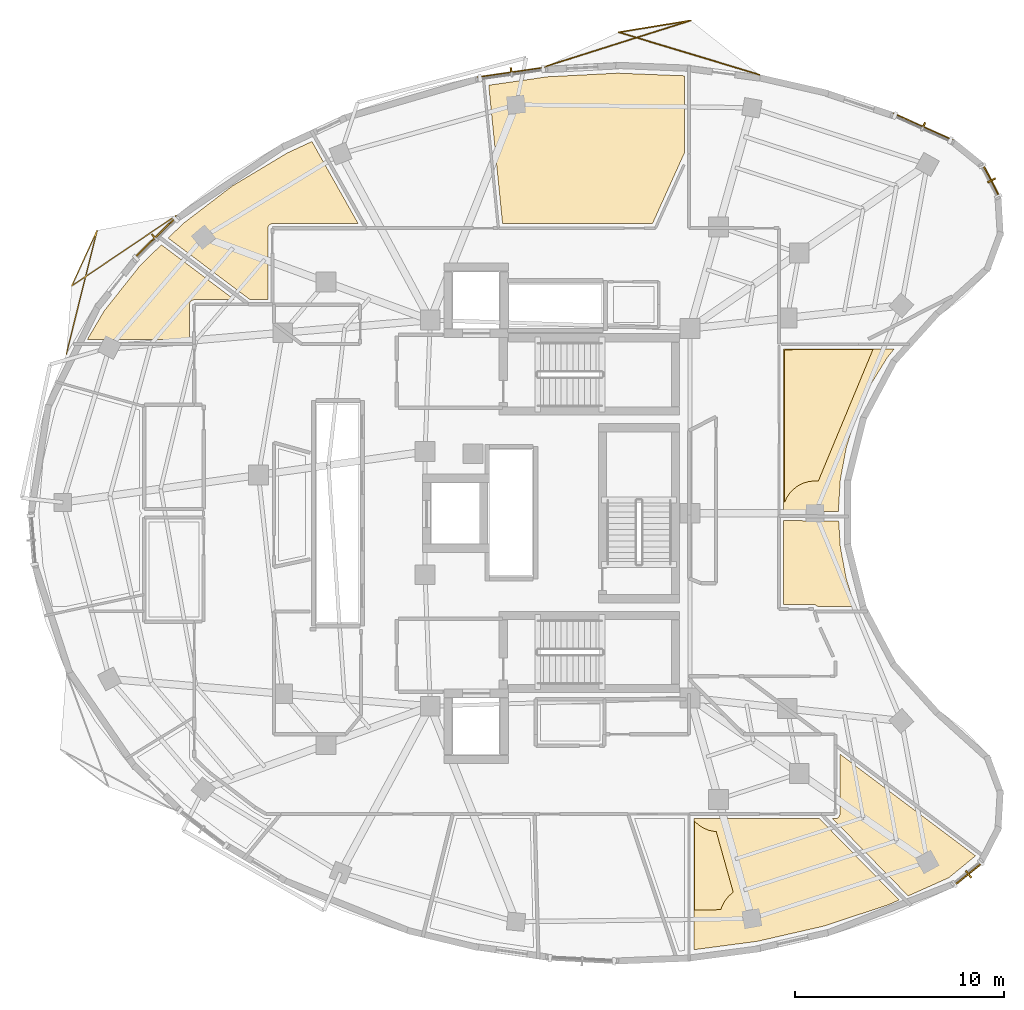
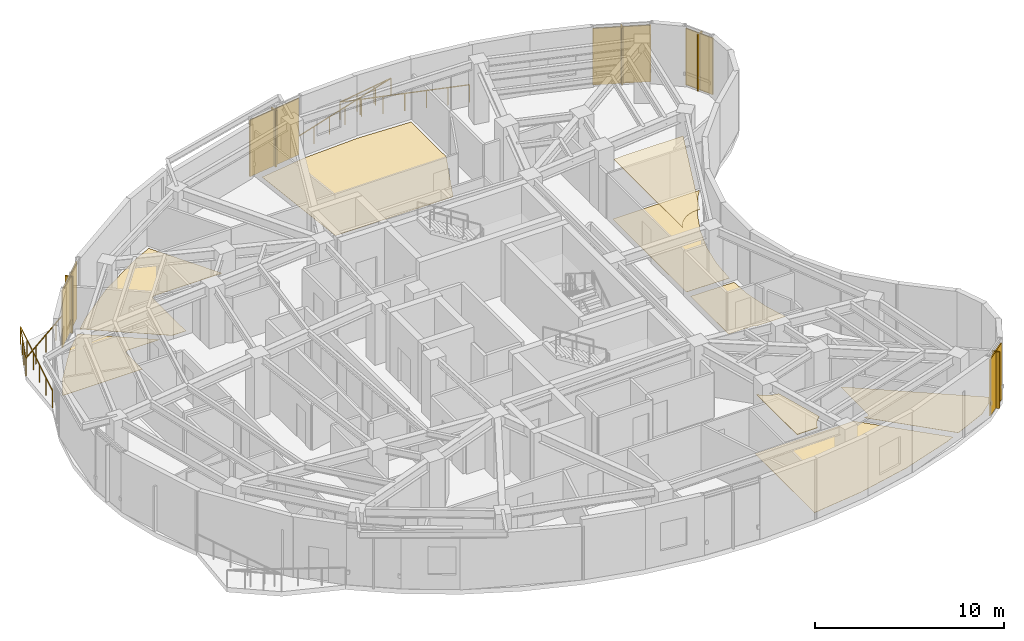
# One storey, part 14 of 14: 10 shading devices, 9 coverings, 2 railings.
"""IFC4 building model written with IfcOpenShell, lengths in metres."""

from ifc_helpers import new_model, si_unit, direction, frame, origin, origin_2d, place, context, subcontext, project, spatial, polyline, rectangle, outline, extrude, material, layer, layer_set, type_object, element, save


model = new_model("IFC4")

# Units and contexts
model_context = context("Model", 3, precision=1e-05, world=origin(), true_north=direction((0.0, 1.0)))
body_context = subcontext(model_context, "Body", "Model", "MODEL_VIEW")
ifc_project = project(units=[si_unit("LENGTHUNIT", "METRE"), si_unit("AREAUNIT", "SQUARE_METRE"), si_unit("VOLUMEUNIT", "CUBIC_METRE"), si_unit("PLANEANGLEUNIT", "RADIAN"), si_unit("MASSUNIT", "GRAM", prefix="KILO")], contexts=[model_context])

# Site, building, storey
site_placement = place(None, origin())
site = spatial("IfcSite", under=ifc_project, at=site_placement, CompositionType="ELEMENT")
building_placement = place(site_placement, origin())
building = spatial("IfcBuilding", under=site, at=building_placement, Name="Korentha Bioscience Tower", CompositionType="ELEMENT")
storey_placement = place(building_placement, frame((0.0, 0.0, 252.0)))
storey = spatial("IfcBuildingStorey", under=building, at=storey_placement, Name="L58", CompositionType="ELEMENT", Elevation=252.0)

# Railings
ifc_material_1 = material(Name="Laminated Tempered Safety Glass", Category="glass")
railing_type = type_object("IfcRailingType", Name="Laminated Glass Balcony Guardrail 1150", PredefinedType="BALUSTRADE", material=ifc_material_1)
railing_1_placement = place(storey_placement, frame((40.857666015625, 48.011962890625, 0.0)))
element("IfcRailing", 1, at=railing_1_placement, inside=storey, type_object=railing_type, Name="L58 Balcony Guardrail 01", PredefinedType="BALUSTRADE", context=body_context, shape_type="SweptSolid", body=[
    extrude(rectangle(XDim=0.048095703125, YDim=0.048095703125, at=origin_2d()), frame((0.0, 0.0, 1.1259765625), z_axis=(-0.957345846904, 0.288944509232, 0.0), x_axis=(-0.288944509232, -0.957345846904, 0.0)), (0.0, 0.0, 1.0), 7.026611328125),
    extrude(rectangle(XDim=0.048095703125, YDim=0.048095703125, at=origin_2d()), frame((-6.726806640625, 2.0302734375, 1.1259765625), z_axis=(0.98686079152, 0.16157282618, 0.0), x_axis=(-0.16157282618, 0.98686079152, 0.0)), (0.0, 0.0, 1.0), 3.489013671875),
    extrude(rectangle(XDim=0.048095703125, YDim=0.048095703125, at=origin_2d()), frame((-3.28369140625, 2.593994140625, 1.1259765625), z_axis=(-0.953365641016, -0.301817750523, 0.0), x_axis=(0.301817750523, -0.953365641016, 0.0)), (0.0, 0.0, 1.0), 7.2509765625),
    extrude(rectangle(XDim=0.0419921875, YDim=0.0419921875, at=origin_2d()), origin(), (0.0, 0.0, 1.0), 1.101806640625),
    extrude(rectangle(XDim=0.0419921875, YDim=0.0419921875, at=origin_2d()), frame((-1.12109375, 0.33837890625, 0.0)), (0.0, 0.0, 1.0), 1.101806640625),
    extrude(rectangle(XDim=0.0419921875, YDim=0.0419921875, at=origin_2d()), frame((-2.2421875, 0.6767578125, 0.0)), (0.0, 0.0, 1.0), 1.101806640625),
    extrude(rectangle(XDim=0.0419921875, YDim=0.0419921875, at=origin_2d()), frame((-3.36328125, 1.01513671875, 0.0)), (0.0, 0.0, 1.0), 1.101806640625),
    extrude(rectangle(XDim=0.0419921875, YDim=0.0419921875, at=origin_2d()), frame((-4.484619140625, 1.353515625, 0.0)), (0.0, 0.0, 1.0), 1.101806640625),
    extrude(rectangle(XDim=0.0419921875, YDim=0.0419921875, at=origin_2d()), frame((-5.605712890625, 1.69189453125, 0.0)), (0.0, 0.0, 1.0), 1.101806640625),
    extrude(rectangle(XDim=0.0419921875, YDim=0.0419921875, at=origin_2d()), frame((-6.726806640625, 2.0302734375, 0.0)), (0.0, 0.0, 1.0), 1.101806640625),
    extrude(rectangle(XDim=0.0419921875, YDim=0.0419921875, at=origin_2d()), frame((-5.5791015625, 2.21826171875, 0.0)), (0.0, 0.0, 1.0), 1.101806640625),
    extrude(rectangle(XDim=0.0419921875, YDim=0.0419921875, at=origin_2d()), frame((-4.431396484375, 2.406005859375, 0.0)), (0.0, 0.0, 1.0), 1.101806640625),
    extrude(rectangle(XDim=0.0419921875, YDim=0.0419921875, at=origin_2d()), frame((-3.28369140625, 2.593994140625, 0.0)), (0.0, 0.0, 1.0), 1.101806640625),
    extrude(rectangle(XDim=0.0419921875, YDim=0.0419921875, at=origin_2d()), frame((-4.435791015625, 2.229248046875, 0.0)), (0.0, 0.0, 1.0), 1.101806640625),
    extrude(rectangle(XDim=0.0419921875, YDim=0.0419921875, at=origin_2d()), frame((-5.587890625, 1.864501953125, 0.0)), (0.0, 0.0, 1.0), 1.101806640625),
    extrude(rectangle(XDim=0.0419921875, YDim=0.0419921875, at=origin_2d()), frame((-6.740234375, 1.499755859375, 0.0)), (0.0, 0.0, 1.0), 1.101806640625),
    extrude(rectangle(XDim=0.0419921875, YDim=0.0419921875, at=origin_2d()), frame((-7.892333984375, 1.135009765625, 0.0)), (0.0, 0.0, 1.0), 1.101806640625),
    extrude(rectangle(XDim=0.0419921875, YDim=0.0419921875, at=origin_2d()), frame((-9.04443359375, 0.770263671875, 0.0)), (0.0, 0.0, 1.0), 1.101806640625),
    extrude(rectangle(XDim=0.0419921875, YDim=0.0419921875, at=origin_2d()), frame((-10.196533203125, 0.405517578125, 0.0)), (0.0, 0.0, 1.0), 1.101806640625),
])
railing_2_placement = place(storey_placement, frame((12.923095703125, 41.261474609375, 0.0)))
element("IfcRailing", 2, at=railing_2_placement, inside=storey, type_object=railing_type, Name="L58 Balcony Guardrail 02", PredefinedType="BALUSTRADE", context=body_context, shape_type="SweptSolid", body=[
    extrude(rectangle(XDim=0.048095703125, YDim=0.048095703125, at=origin_2d()), frame((0.0, 0.0, 1.1259765625), z_axis=(-0.829022795823, -0.559214810253, 0.0), x_axis=(0.559214810253, -0.829022795823, 0.0)), (0.0, 0.0, 1.0), 6.029052734375),
    extrude(rectangle(XDim=0.048095703125, YDim=0.048095703125, at=origin_2d()), frame((-4.998291015625, -3.37158203125, 1.1259765625), z_axis=(0.414979700479, 0.909830670065, 0.0), x_axis=(-0.909830670065, 0.414979700479, 0.0)), (0.0, 0.0, 1.0), 2.922119140625),
    extrude(rectangle(XDim=0.048095703125, YDim=0.048095703125, at=origin_2d()), frame((-3.78564453125, -0.712890625, 1.1259765625), z_axis=(-0.241152807874, -0.970487157697, 0.0), x_axis=(0.970487157697, -0.241152807874, 0.0)), (0.0, 0.0, 1.0), 6.107666015625),
    extrude(rectangle(XDim=0.0419921875, YDim=0.0419921875, at=origin_2d()), origin(), (0.0, 0.0, 1.0), 1.101806640625),
    extrude(rectangle(XDim=0.0419921875, YDim=0.0419921875, at=origin_2d()), frame((-0.999755859375, -0.67431640625, 0.0)), (0.0, 0.0, 1.0), 1.101806640625),
    extrude(rectangle(XDim=0.0419921875, YDim=0.0419921875, at=origin_2d()), frame((-1.999267578125, -1.3486328125, 0.0)), (0.0, 0.0, 1.0), 1.101806640625),
    extrude(rectangle(XDim=0.0419921875, YDim=0.0419921875, at=origin_2d()), frame((-2.9990234375, -2.02294921875, 0.0)), (0.0, 0.0, 1.0), 1.101806640625),
    extrude(rectangle(XDim=0.0419921875, YDim=0.0419921875, at=origin_2d()), frame((-3.99853515625, -2.697265625, 0.0)), (0.0, 0.0, 1.0), 1.101806640625),
    extrude(rectangle(XDim=0.0419921875, YDim=0.0419921875, at=origin_2d()), frame((-4.998291015625, -3.37158203125, 0.0)), (0.0, 0.0, 1.0), 1.101806640625),
    extrude(rectangle(XDim=0.0419921875, YDim=0.0419921875, at=origin_2d()), frame((-4.593994140625, -2.4853515625, 0.0)), (0.0, 0.0, 1.0), 1.101806640625),
    extrude(rectangle(XDim=0.0419921875, YDim=0.0419921875, at=origin_2d()), frame((-4.18994140625, -1.59912109375, 0.0)), (0.0, 0.0, 1.0), 1.101806640625),
    extrude(rectangle(XDim=0.0419921875, YDim=0.0419921875, at=origin_2d()), frame((-3.78564453125, -0.712890625, 0.0)), (0.0, 0.0, 1.0), 1.101806640625),
    extrude(rectangle(XDim=0.0419921875, YDim=0.0419921875, at=origin_2d()), frame((-4.080322265625, -1.8984375, 0.0)), (0.0, 0.0, 1.0), 1.101806640625),
    extrude(rectangle(XDim=0.0419921875, YDim=0.0419921875, at=origin_2d()), frame((-4.374755859375, -3.083984375, 0.0)), (0.0, 0.0, 1.0), 1.101806640625),
    extrude(rectangle(XDim=0.0419921875, YDim=0.0419921875, at=origin_2d()), frame((-4.66943359375, -4.269287109375, 0.0)), (0.0, 0.0, 1.0), 1.101806640625),
    extrude(rectangle(XDim=0.0419921875, YDim=0.0419921875, at=origin_2d()), frame((-4.9638671875, -5.454833984375, 0.0)), (0.0, 0.0, 1.0), 1.101806640625),
    extrude(rectangle(XDim=0.0419921875, YDim=0.0419921875, at=origin_2d()), frame((-5.258544921875, -6.640380859375, 0.0)), (0.0, 0.0, 1.0), 1.101806640625),
])

# Coverings
ifc_material_2 = material(Name="Antimicrobial Mineral Fibre Board", Category="gypsum")
ifc_layer_1 = layer(ifc_material_2, 0.034912109375, Name="Antimicrobial Mineral Fibre Board")
ifc_layer_set_1 = layer_set([ifc_layer_1], Name="Antimicrobial Mineral Fibre Board (CL-MF35)")
covering_type_1 = type_object("IfcCoveringType", Name="Mineral-Fibre Cleanroom Suspended Ceiling 35", PredefinedType="CEILING", material=ifc_layer_set_1)
covering_1_placement = place(storey_placement, frame((0.0, 0.0, 3.864990234375)))
element("IfcCovering", 3, at=covering_1_placement, inside=storey, type_object=covering_type_1, Name="L58 Daylight Break and Coffee Bar 09 Acoustic Ceiling", PredefinedType="CEILING", context=body_context, shape_type="SweptSolid", body=[
    extrude(outline(polyline([(39.614990234375, 8.840576171875), (39.412841796875, 8.672119140625), (39.22021484375, 8.437255859375), (39.076904296875, 8.169189453125), (39.020751953125, 8.00634765625), (37.758056640625, 7.98974609375), (37.758056640625, 12.2529296875), (37.927734375, 12.087890625), (38.180419921875, 11.9189453125), (38.461181640625, 11.802734375), (38.803466796875, 11.7412109375), (39.614990234375, 8.840576171875)])), origin(), (0.0, 0.0, 1.0), 0.034912109375),
])
covering_2_placement = place(storey_placement, frame((0.0, 0.0, 3.864990234375)))
element("IfcCovering", 4, at=covering_2_placement, inside=storey, type_object=covering_type_1, Name="L58 Epidemiology Modelling Studio 15 Acoustic Ceiling", PredefinedType="CEILING", context=body_context, shape_type="SweptSolid", body=[
    extrude(outline(polyline([(42.551513671875, 34.847900390625), (46.30908203125, 34.847900390625), (43.6904296875, 28.542236328125), (43.536865234375, 28.550048828125), (43.234375, 28.520263671875), (42.943603515625, 28.431884765625), (42.67578125, 28.288818359375), (42.44091796875, 28.095947265625), (42.338623046875, 27.9833984375), (42.169921875, 27.730712890625), (42.07861328125, 27.52001953125), (42.06005859375, 27.52001953125), (42.06005859375, 34.814208984375), (42.35693359375, 34.814697265625), (42.551513671875, 34.847900390625)])), origin(), (0.0, 0.0, 1.0), 0.034912109375),
])

# Shading devices
ifc_material_3 = material(Name="Perforated Stone-Ceramic Composite", Category="masonry")
ifc_layer_2 = layer(ifc_material_3, 0.06494140625, Name="Perforated Stone-Ceramic Composite")
ifc_layer_set_2 = layer_set([ifc_layer_2], Name="Perforated Stone-Ceramic Composite (CS-01)")
shading_device_type_1 = type_object("IfcShadingDeviceType", Name="Perforated Stone-Ceramic Solar Screen Panel 65", PredefinedType="USERDEFINED", material=ifc_layer_set_2)
shading_device_1_placement = place(storey_placement, frame((48.712158203125, 45.507080078125, 0.0), z_axis=(0.0, 0.0, 1.0), x_axis=(-0.912621774183, 0.408804962405, 0.0)))
element("IfcShadingDevice", 5, at=shading_device_1_placement, inside=storey, type_object=shading_device_type_1, Name="CW-L58-01 Perforated Stone-Ceramic Solar Screen", ObjectType="SCREEN", PredefinedType="USERDEFINED", context=body_context, shape_type="SweptSolid", body=[
    extrude(rectangle(XDim=3.126953125, YDim=0.06494140625, at=origin_2d()), origin(), (0.0, 0.0, 1.0), 3.64990234375),
])
shading_device_2_placement = place(storey_placement, frame((28.989990234375, 48.115478515625, 0.0), z_axis=(0.0, 0.0, 1.0), x_axis=(-0.989728990307, -0.142956377076, 0.0)))
element("IfcShadingDevice", 6, at=shading_device_2_placement, inside=storey, type_object=shading_device_type_1, Name="CW-L58-07 Perforated Stone-Ceramic Solar Screen", ObjectType="SCREEN", PredefinedType="USERDEFINED", context=body_context, shape_type="SweptSolid", body=[
    extrude(rectangle(XDim=3.29443359375, YDim=0.06494140625, at=origin_2d()), origin(), (0.0, 0.0, 1.0), 3.64990234375),
])
shading_device_3_placement = place(storey_placement, frame((11.9150390625, 40.194580078125, 0.0), z_axis=(0.0, 0.0, 1.0), x_axis=(-0.715993919158, -0.698106516034, 0.0)))
element("IfcShadingDevice", 7, at=shading_device_3_placement, inside=storey, type_object=shading_device_type_1, Name="CW-L58-13 Perforated Stone-Ceramic Solar Screen", ObjectType="SCREEN", PredefinedType="USERDEFINED", context=body_context, shape_type="SweptSolid", body=[
    extrude(rectangle(XDim=2.833251953125, YDim=0.06494140625, at=origin_2d()), origin(), (0.0, 0.0, 1.0), 3.64990234375),
])
for number, where, z_axis, x_axis, name in (
    (8, (50.87353515625, 9.712890625, 0.0), (0.0, 0.0, 1.0), (0.777226359638, 0.629221094596, 0.0), "CW-L58-37 Perforated Stone-Ceramic Solar Screen"),
    (9, (51.973876953125, 42.934326171875, 0.0), (0.0, 0.0, 1.0), (-0.457569503198, 0.889173857996, 0.0), "CW-L58-61 Perforated Stone-Ceramic Solar Screen"),
):
    element("IfcShadingDevice", number, at=place(storey_placement, frame(where, z_axis=z_axis, x_axis=x_axis)), inside=storey, type_object=shading_device_type_1, Name=name, ObjectType="SCREEN", PredefinedType="USERDEFINED", context=body_context, shape_type="SweptSolid", body=[
        extrude(rectangle(XDim=1.70703125, YDim=0.06494140625, at=origin_2d()), origin(), (0.0, 0.0, 1.0), 3.64990234375),
    ])

# Coverings
ifc_material_4 = material(Name="Chemical-Resistant Epoxy Resin", Category="polymer")
ifc_layer_3 = layer(ifc_material_4, 0.011962890625, Name="Chemical-Resistant Epoxy Resin")
ifc_layer_set_3 = layer_set([ifc_layer_3], Name="Chemical-Resistant Epoxy Resin (FL-EPX)")
covering_type_2 = type_object("IfcCoveringType", Name="Seamless Epoxy Laboratory Flooring 12", PredefinedType="FLOORING", material=ifc_layer_set_3)
covering_3_placement = place(storey_placement, origin())
element("IfcCovering", 10, at=covering_3_placement, inside=storey, type_object=covering_type_2, Name="L58 Daylight Break and Coffee Bar 09 Floor Finish", PredefinedType="FLOORING", context=body_context, shape_type="SweptSolid", body=[
    extrude(outline(polyline([(47.0791015625, 8.254638671875), (43.994384765625, 7.228759765625), (40.76708984375, 6.490478515625), (37.72802734375, 6.08837890625), (37.72802734375, 12.3701171875), (43.7412109375, 12.3701171875), (47.560302734375, 8.47021484375), (47.0791015625, 8.254638671875)])), origin(), (0.0, 0.0, 1.0), 0.011962890625),
])
covering_4_placement = place(storey_placement, origin())
element("IfcCovering", 11, at=covering_4_placement, inside=storey, type_object=covering_type_2, Name="L58 Immunology Flow-Cytometry Laboratory 11 Floor Finish", PredefinedType="FLOORING", context=body_context, shape_type="SweptSolid", body=[
    extrude(outline(polyline([(44.37109375, 12.3701171875), (44.533203125, 12.372314453125), (44.617919921875, 12.402587890625), (44.68505859375, 12.46337890625), (44.7275390625, 12.566650390625), (44.72998046875, 15.456298828125), (51.2197265625, 10.583740234375), (49.93994140625, 9.535888671875), (47.998046875, 8.666259765625), (44.37109375, 12.3701171875)])), origin(), (0.0, 0.0, 1.0), 0.011962890625),
])
covering_5_placement = place(storey_placement, origin())
element("IfcCovering", 12, at=covering_5_placement, inside=storey, type_object=covering_type_2, Name="L58 Lyophilization Freeze-Drying Room 13 Floor Finish", PredefinedType="FLOORING", context=body_context, shape_type="SweptSolid", body=[
    extrude(outline(polyline([(43.6474609375, 22.5380859375), (43.58056640625, 22.59814453125), (43.475341796875, 22.629638671875), (42.030029296875, 22.6298828125), (42.030029296875, 26.649169921875), (44.666015625, 26.62158203125), (44.743408203125, 25.397216796875), (45.023681640625, 23.88330078125), (45.44677734375, 22.528076171875), (43.6474609375, 22.5380859375)])), origin(), (0.0, 0.0, 1.0), 0.011962890625),
])
covering_6_placement = place(storey_placement, origin())
element("IfcCovering", 13, at=covering_6_placement, inside=storey, type_object=covering_type_2, Name="L58 Epidemiology Modelling Studio 15 Floor Finish", PredefinedType="FLOORING", context=body_context, shape_type="SweptSolid", body=[
    extrude(outline(polyline([(42.030029296875, 34.8779296875), (47.326171875, 34.8779296875), (46.983154296875, 34.441650390625), (46.1787109375, 33.128662109375), (45.499755859375, 31.638916015625), (45.023681640625, 30.11669921875), (44.743408203125, 28.602783203125), (44.647216796875, 27.07177734375), (42.030029296875, 27.09912109375), (42.030029296875, 34.8779296875)])), origin(), (0.0, 0.0, 1.0), 0.011962890625),
])
covering_7_placement = place(storey_placement, origin())
element("IfcCovering", 14, at=covering_7_placement, inside=storey, type_object=covering_type_2, Name="L58 Grant Review Seminar Room 17 Floor Finish", PredefinedType="FLOORING", context=body_context, shape_type="SweptSolid", body=[
    extrude(outline(polyline([(27.901611328125, 47.50341796875), (30.710693359375, 47.9091796875), (34.076171875, 48.0830078125), (37.27197265625, 47.955810546875), (37.27197265625, 44.25390625), (35.74853515625, 40.8798828125), (28.562744140625, 40.8798828125), (27.901611328125, 47.50341796875)])), origin(), (0.0, 0.0, 1.0), 0.011962890625),
])
covering_8_placement = place(storey_placement, origin())
element("IfcCovering", 15, at=covering_8_placement, inside=storey, type_object=covering_type_2, Name="L58 Reference Archive Vault 19 Floor Finish", PredefinedType="FLOORING", context=body_context, shape_type="SweptSolid", body=[
    extrude(outline(polyline([(13.257080078125, 40.875), (15.618896484375, 42.680908203125), (18.25390625, 44.261474609375), (19.4296875, 44.806884765625), (21.642333984375, 40.8798828125), (17.550048828125, 40.8798828125), (17.47216796875, 40.866455078125), (17.39599609375, 40.82080078125), (17.341796875, 40.747802734375), (17.320068359375, 40.64990234375), (17.320068359375, 37.22998046875), (16.4697265625, 37.22998046875), (12.54296875, 40.178466796875), (13.257080078125, 40.875)])), origin(), (0.0, 0.0, 1.0), 0.011962890625),
])
covering_9_placement = place(storey_placement, origin())
element("IfcCovering", 16, at=covering_9_placement, inside=storey, type_object=covering_type_2, Name="L58 Vaccine Formulation Cleanroom 21 Floor Finish", PredefinedType="FLOORING", context=body_context, shape_type="SweptSolid", body=[
    extrude(outline(polyline([(12.216796875, 39.860595703125), (15.72021484375, 37.22998046875), (13.789306640625, 37.229736328125), (13.72216796875, 37.21630859375), (13.64599609375, 37.170654296875), (13.591796875, 37.097900390625), (13.5703125, 37.0107421875), (13.570068359375, 35.322021484375), (8.669921875, 35.322021484375), (9.48291015625, 36.700439453125), (11.202392578125, 38.871337890625), (12.216796875, 39.860595703125)])), origin(), (0.0, 0.0, 1.0), 0.011962890625),
])

# Shading devices
ifc_material_5 = material(Name="Honed Travertine Limestone", Category="masonry")
ifc_layer_4 = layer(ifc_material_5, 0.080078125, Name="Honed Travertine Limestone")
ifc_layer_set_4 = layer_set([ifc_layer_4], Name="Honed Travertine Limestone (CS-02)")
shading_device_type_2 = type_object("IfcShadingDeviceType", Name="Vertical Honed Limestone Sunshade Fin 80x420", PredefinedType="USERDEFINED", material=ifc_layer_set_4)
for number, where, z_axis, x_axis, name in (
    (17, (48.720458984375, 45.525390625, 0.0), (0.0, 0.0, 1.0), (-0.912621774183, 0.408804962405, 0.0), "CW-L58-01 Limestone Sunshade Fin"),
    (18, (28.987060546875, 48.135009765625, 0.0), (0.0, 0.0, 1.0), (-0.989728990307, -0.142956377076, 0.0), "CW-L58-07 Limestone Sunshade Fin"),
    (19, (11.90087890625, 40.208984375, 0.0), (0.0, 0.0, 1.0), (-0.715993919158, -0.698106516034, 0.0), "CW-L58-13 Limestone Sunshade Fin"),
    (20, (50.88623046875, 9.697509765625, 0.0), (0.0, 0.0, 1.0), (0.777226359638, 0.629221094596, 0.0), "CW-L58-37 Limestone Sunshade Fin"),
    (21, (51.99169921875, 42.943603515625, 0.0), (0.0, 0.0, 1.0), (-0.457569503198, 0.889173857996, 0.0), "CW-L58-61 Limestone Sunshade Fin"),
):
    element("IfcShadingDevice", number, at=place(storey_placement, frame(where, z_axis=z_axis, x_axis=x_axis)), inside=storey, type_object=shading_device_type_2, Name=name, ObjectType="SCREEN", PredefinedType="USERDEFINED", context=body_context, shape_type="SweptSolid", body=[
        extrude(rectangle(XDim=0.080078125, YDim=0.419921875, at=origin_2d()), origin(), (0.0, 0.0, 1.0), 3.64990234375),
    ])

save(model, "model.ifc")
